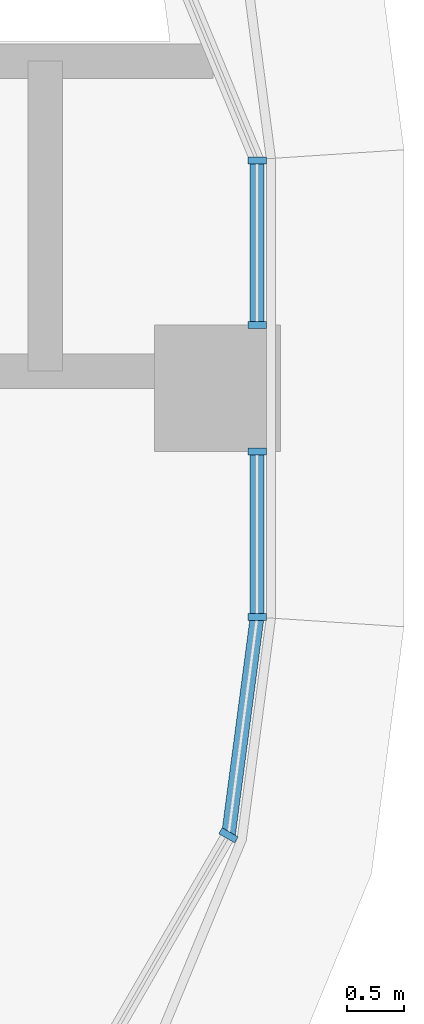
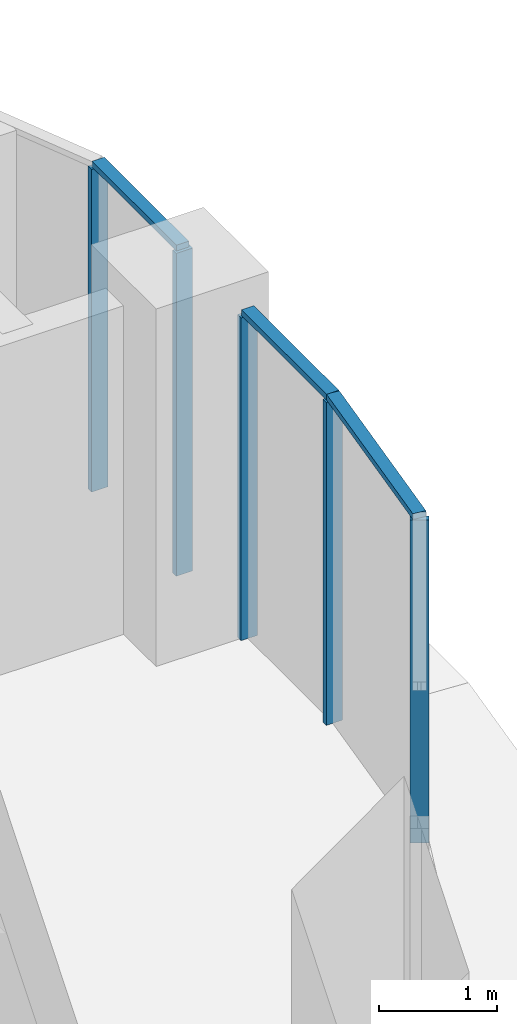
# One storey, part 6 of 24: 8 members, 3 elements without a shape of their own.
"""IFC4 building model written with IfcOpenShell, lengths in metres."""

from ifc_helpers import new_model, si_unit, direction, frame, origin, origin_2d, place, context, subcontext, project, spatial, rectangle, extrude, material, material_profile, profile_set, type_object, element, aggregate, save


model = new_model("IFC4")

# Units and contexts
model_context = context("Model", 3, precision=1e-05, world=origin(), true_north=direction((0.0, 1.0)))
body_context = subcontext(model_context, "Body", "Model", "MODEL_VIEW")
ifc_project = project(units=[si_unit("LENGTHUNIT", "METRE"), si_unit("AREAUNIT", "SQUARE_METRE"), si_unit("VOLUMEUNIT", "CUBIC_METRE"), si_unit("PLANEANGLEUNIT", "RADIAN"), si_unit("MASSUNIT", "GRAM", prefix="KILO")], contexts=[model_context])

# Site, building, storey
site_placement = place(None, origin())
site = spatial("IfcSite", under=ifc_project, at=site_placement, CompositionType="ELEMENT")
building_placement = place(site_placement, origin())
building = spatial("IfcBuilding", under=site, at=building_placement, Name="Ogive Portal Towers", CompositionType="ELEMENT")
storey_placement = place(building_placement, frame((0.0, 0.0, 153.300048828125)))
storey = spatial("IfcBuildingStorey", under=building, at=storey_placement, Name="L37", CompositionType="ELEMENT", Elevation=153.300048828125)

# Curtain wall, members
ifc_material_1 = material(Name="Glass, clear low-iron insulated glazing", Category="glass")
curtain_wall_type = type_object("IfcCurtainWallType", Name="CW FRONT RIBBON 4500", PredefinedType="NOTDEFINED", material=ifc_material_1)
curtain_wall_1_placement = place(storey_placement, origin())
curtain_wall_1 = element("IfcCurtainWall", 1, at=curtain_wall_1_placement, inside=storey, type_object=curtain_wall_type, Name="A:L37:f29:cw0~0", PredefinedType="NOTDEFINED")
ifc_material_2 = material(Name="Aluminium 6063 anodised", Category="aluminium")
ifc_material_profile_1 = material_profile(ifc_material_2, rectangle(XDim=0.159912109375, YDim=0.06005859375, at=origin_2d()), Name="AL 60x160")
ifc_profile_set_1 = profile_set([ifc_material_profile_1], Name="Aluminium 6063 anodised")
member_type_1 = type_object("IfcMemberType", Name="CW MULLION 60x160", PredefinedType="MULLION", material=ifc_profile_set_1)
member_1_placement = place(storey_placement, frame((94.844970703125, 28.505126953125, 0.0), z_axis=(0.0, 0.0, 1.0), x_axis=(-1.0, 0.0, 0.0)))
member_1 = element("IfcMember", 2, at=member_1_placement, type_object=member_type_1, Name="mullion", PredefinedType="MULLION", context=body_context, shape_type="SweptSolid", body=[
    extrude(rectangle(XDim=0.159912109375, YDim=0.06005859375, at=origin_2d()), origin(), (0.0, 0.0, 1.0), 3.33984375),
])
member_2_placement = place(storey_placement, frame((94.844970703125, 29.949951171875, 0.0), z_axis=(0.0, 0.0, 1.0), x_axis=(-1.0, 0.0, 0.0)))
member_2 = element("IfcMember", 3, at=member_2_placement, type_object=member_type_1, Name="mullion", PredefinedType="MULLION", context=body_context, shape_type="SweptSolid", body=[
    extrude(rectangle(XDim=0.159912109375, YDim=0.06005859375, at=origin_2d()), origin(), (0.0, 0.0, 1.0), 3.33984375),
])

curtain_wall_2_placement = place(storey_placement, origin())
curtain_wall_2 = element("IfcCurtainWall", 4, at=curtain_wall_2_placement, inside=storey, type_object=curtain_wall_type, Name="A:L37:f29:cw0~1", PredefinedType="NOTDEFINED")
member_3_placement = place(storey_placement, frame((94.844970703125, 31.050048828125, 0.0), z_axis=(0.0, 0.0, 1.0), x_axis=(-1.0, 0.0, 0.0)))
member_3 = element("IfcMember", 5, at=member_3_placement, type_object=member_type_1, Name="mullion", PredefinedType="MULLION", context=body_context, shape_type="SweptSolid", body=[
    extrude(rectangle(XDim=0.159912109375, YDim=0.06005859375, at=origin_2d()), origin(), (0.0, 0.0, 1.0), 3.33984375),
])
member_4_placement = place(storey_placement, frame((94.844970703125, 32.484130859375, 0.0), z_axis=(0.0, 0.0, 1.0), x_axis=(-1.0, 0.0, 0.0)))
member_4 = element("IfcMember", 6, at=member_4_placement, type_object=member_type_1, Name="mullion", PredefinedType="MULLION", context=body_context, shape_type="SweptSolid", body=[
    extrude(rectangle(XDim=0.159912109375, YDim=0.06005859375, at=origin_2d()), origin(), (0.0, 0.0, 1.0), 3.33984375),
])

# Curtain wall, member
curtain_wall_3_placement = place(storey_placement, origin())
curtain_wall_3 = element("IfcCurtainWall", 7, at=curtain_wall_3_placement, inside=storey, type_object=curtain_wall_type, Name="A:L37:f25:cwa~1", PredefinedType="NOTDEFINED")
member_5_placement = place(storey_placement, frame((94.5947265625, 26.6044921875, 0.0), z_axis=(0.0, 0.0, 1.0), x_axis=(-0.866025403784, 0.5, 0.0)))
member_5 = element("IfcMember", 8, at=member_5_placement, type_object=member_type_1, Name="mullion", PredefinedType="MULLION", context=body_context, shape_type="SweptSolid", body=[
    extrude(rectangle(XDim=0.159912109375, YDim=0.06005859375, at=origin_2d()), origin(), (0.0, 0.0, 1.0), 3.33984375),
])

# Member
ifc_material_profile_2 = material_profile(ifc_material_2, rectangle(XDim=0.1201171875, YDim=0.06005859375, at=origin_2d()), Name="AL 120x60")
ifc_profile_set_2 = profile_set([ifc_material_profile_2], Name="Aluminium 6063 anodised")
member_type_2 = type_object("IfcMemberType", Name="CW TRANSOM 60x120", PredefinedType="USERDEFINED", material=ifc_profile_set_2)
member_6_placement = place(storey_placement, frame((94.844970703125, 28.505126953125, 3.369873046875), z_axis=(0.0, 1.0, 0.0), x_axis=(-1.0, 0.0, 0.0)))
member_6 = element("IfcMember", 9, at=member_6_placement, type_object=member_type_2, Name="transom", ObjectType="TRANSOM", PredefinedType="USERDEFINED", context=body_context, shape_type="SweptSolid", body=[
    extrude(rectangle(XDim=0.1201171875, YDim=0.06005859375, at=origin_2d()), origin(), (0.0, 0.0, 1.0), 1.44482421875),
])

aggregate(curtain_wall_1, [member_6, member_1, member_2])

member_7_placement = place(storey_placement, frame((94.844970703125, 31.050048828125, 3.369873046875), z_axis=(0.0, 1.0, 0.0), x_axis=(-1.0, 0.0, 0.0)))
member_7 = element("IfcMember", 10, at=member_7_placement, type_object=member_type_2, Name="transom", ObjectType="TRANSOM", PredefinedType="USERDEFINED", context=body_context, shape_type="SweptSolid", body=[
    extrude(rectangle(XDim=0.1201171875, YDim=0.06005859375, at=origin_2d()), origin(), (0.0, 0.0, 1.0), 1.43408203125),
])

aggregate(curtain_wall_2, [member_7, member_3, member_4])

member_8_placement = place(storey_placement, frame((94.5947265625, 26.6044921875, 3.369873046875), z_axis=(0.130536871136, 0.991443455409, 0.0), x_axis=(-0.991443455409, 0.130536871136, 0.0)))
member_8 = element("IfcMember", 11, at=member_8_placement, type_object=member_type_2, Name="transom", ObjectType="TRANSOM", PredefinedType="USERDEFINED", context=body_context, shape_type="SweptSolid", body=[
    extrude(rectangle(XDim=0.1201171875, YDim=0.06005859375, at=origin_2d()), origin(), (0.0, 0.0, 1.0), 1.9169921875),
])

aggregate(curtain_wall_3, [member_8, member_5])

save(model, "model.ifc")
